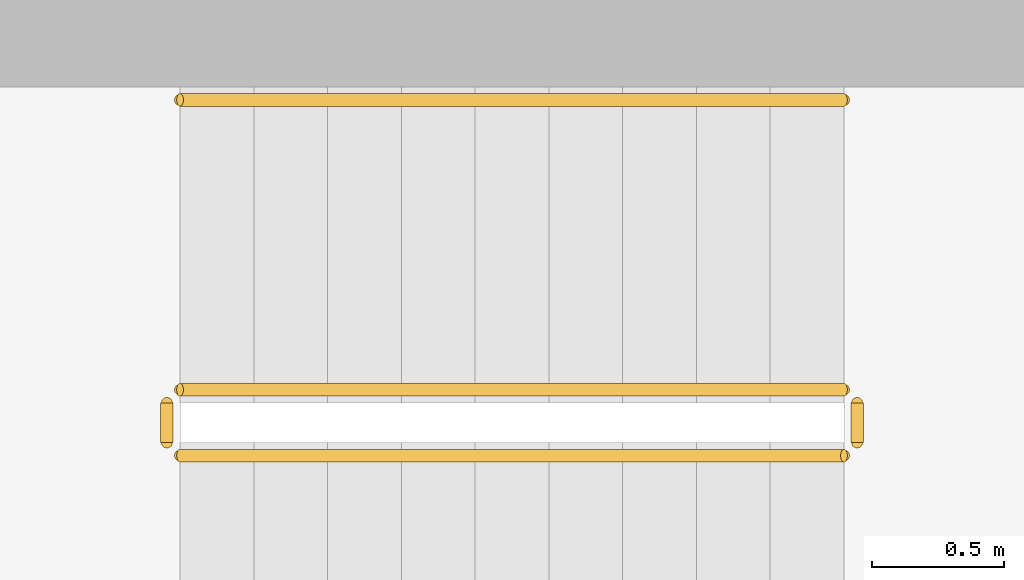
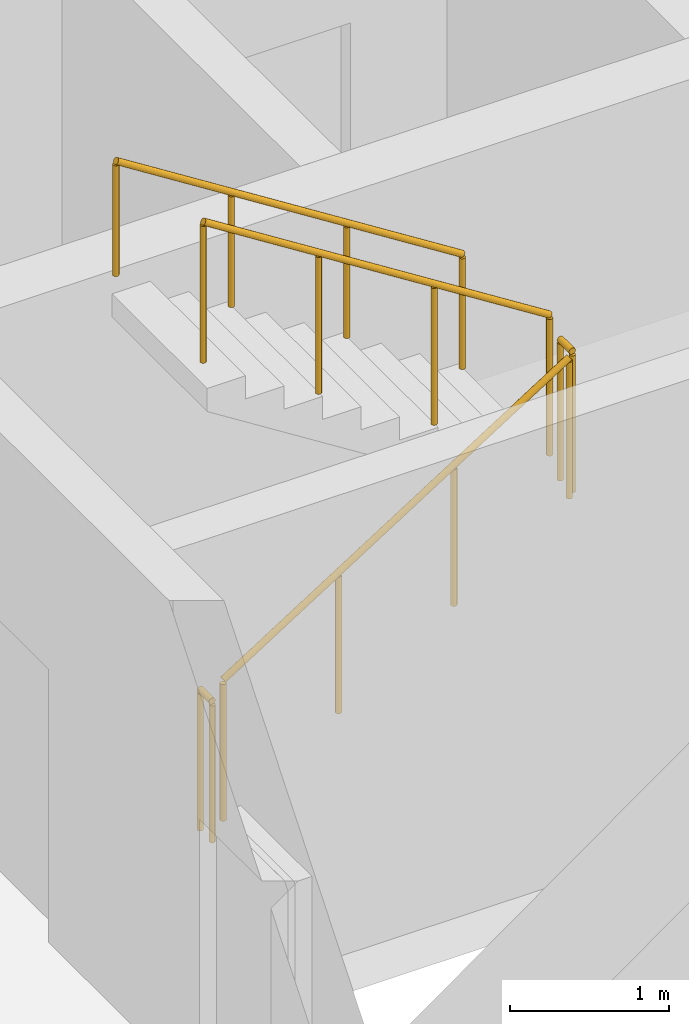
# One storey, part 12 of 14: 5 railings.
"""IFC4 building model written with IfcOpenShell, lengths in metres."""

from ifc_helpers import new_model, si_unit, direction, frame, origin, origin_2d, place, context, subcontext, project, spatial, circle, extrude, material, type_object, element, save


model = new_model("IFC4")

# Units and contexts
model_context = context("Model", 3, precision=1e-05, world=origin(), true_north=direction((0.0, 1.0)))
body_context = subcontext(model_context, "Body", "Model", "MODEL_VIEW")
ifc_project = project(units=[si_unit("LENGTHUNIT", "METRE"), si_unit("AREAUNIT", "SQUARE_METRE"), si_unit("VOLUMEUNIT", "CUBIC_METRE"), si_unit("PLANEANGLEUNIT", "RADIAN"), si_unit("MASSUNIT", "GRAM", prefix="KILO")], contexts=[model_context])

# Site, building, storey
site_placement = place(None, origin())
site = spatial("IfcSite", under=ifc_project, at=site_placement, CompositionType="ELEMENT")
building_placement = place(site_placement, origin())
building = spatial("IfcBuilding", under=site, at=building_placement, Name="Ostrand Prow Hotel Tower", CompositionType="ELEMENT")
storey_placement = place(building_placement, frame((0.0, 0.0, 271.449951171875)))
storey = spatial("IfcBuildingStorey", under=building, at=storey_placement, Name="L68", CompositionType="ELEMENT", Elevation=271.449951171875)

# Railings
ifc_material_1 = material(Name="Painted steel", Category="steel")
railing_type_1 = type_object("IfcRailingType", Name="Stair guard 1100", PredefinedType="GUARDRAIL", material=ifc_material_1)
railing_1_placement = place(storey_placement, frame((57.199951171875, -11.75, 0.177490234375)))
element("IfcRailing", 1, at=railing_1_placement, inside=storey, type_object=railing_type_1, Name="L68 ST2C stair guard 1", PredefinedType="GUARDRAIL", context=body_context, shape_type="SweptSolid", body=[
    extrude(circle(Radius=0.02392578125, at=origin_2d()), frame((0.0, 0.0, 1.076171875), z_axis=(0.84456994832, 0.0, 0.535445237532), x_axis=(0.0, 1.0, 0.0)), (0.0, 0.0, 1.0), 2.98388671875),
    extrude(circle(Radius=0.02099609375, at=origin_2d()), origin(), (0.0, 0.0, 1.0), 1.052001953125),
    extrude(circle(Radius=0.02099609375, at=origin_2d()), frame((0.840087890625, 0.0, 0.532470703125)), (0.0, 0.0, 1.0), 1.052001953125),
    extrude(circle(Radius=0.02099609375, at=origin_2d()), frame((1.679931640625, 0.0, 1.065185546875)), (0.0, 0.0, 1.0), 1.052001953125),
    extrude(circle(Radius=0.02099609375, at=origin_2d()), frame((2.52001953125, 0.0, 1.59765625)), (0.0, 0.0, 1.0), 1.052001953125),
])
railing_2_placement = place(storey_placement, frame((59.77001953125, -11.699951171875, 1.775146484375)))
element("IfcRailing", 2, at=railing_2_placement, inside=storey, type_object=railing_type_1, Name="L68 ST2C stair guard 2", PredefinedType="GUARDRAIL", context=body_context, shape_type="SweptSolid", body=[
    extrude(circle(Radius=0.02392578125, at=origin_2d()), frame((0.0, 0.0, 1.076171875), z_axis=(0.0, 1.0, 0.0), x_axis=(-1.0, 0.0, 0.0)), (0.0, 0.0, 1.0), 0.14990234375),
    extrude(circle(Radius=0.02099609375, at=origin_2d()), origin(), (0.0, 0.0, 1.0), 1.052001953125),
    extrude(circle(Radius=0.02099609375, at=origin_2d()), frame((0.0, 0.14990234375, 0.0)), (0.0, 0.0, 1.0), 1.052001953125),
])
railing_3_placement = place(storey_placement, frame((59.719970703125, -11.5, 1.95263671875)))
element("IfcRailing", 3, at=railing_3_placement, inside=storey, type_object=railing_type_1, Name="L68 ST2C stair guard 3", PredefinedType="GUARDRAIL", context=body_context, shape_type="SweptSolid", body=[
    extrude(circle(Radius=0.02392578125, at=origin_2d()), frame((0.0, 0.0, 1.076171875), z_axis=(-0.84460694969, 0.0, 0.535386869969), x_axis=(0.0, -1.0, 0.0)), (0.0, 0.0, 1.0), 2.983642578125),
    extrude(circle(Radius=0.02099609375, at=origin_2d()), origin(), (0.0, 0.0, 1.0), 1.052001953125),
    extrude(circle(Radius=0.02099609375, at=origin_2d()), frame((-0.840087890625, 0.0, 0.532470703125)), (0.0, 0.0, 1.0), 1.052001953125),
    extrude(circle(Radius=0.02099609375, at=origin_2d()), frame((-1.679931640625, 0.0, 1.06494140625)), (0.0, 0.0, 1.0), 1.052001953125),
    extrude(circle(Radius=0.02099609375, at=origin_2d()), frame((-2.52001953125, 0.0, 1.597412109375)), (0.0, 0.0, 1.0), 1.052001953125),
])
railing_4_placement = place(storey_placement, frame((57.14990234375, -11.699951171875, 0.0)))
element("IfcRailing", 4, at=railing_4_placement, inside=storey, type_object=railing_type_1, Name="L68 ST2C stair guard 4", PredefinedType="GUARDRAIL", context=body_context, shape_type="SweptSolid", body=[
    extrude(circle(Radius=0.02392578125, at=origin_2d()), frame((0.0, 0.0, 1.076171875), z_axis=(0.0, 1.0, 0.0), x_axis=(-1.0, 0.0, 0.0)), (0.0, 0.0, 1.0), 0.14990234375),
    extrude(circle(Radius=0.02099609375, at=origin_2d()), origin(), (0.0, 0.0, 1.0), 1.052001953125),
    extrude(circle(Radius=0.02099609375, at=origin_2d()), frame((0.0, 0.14990234375, 0.0)), (0.0, 0.0, 1.0), 1.052001953125),
])
ifc_material_2 = material(Name="Stainless steel", Category="steel")
railing_type_2 = type_object("IfcRailingType", Name="Stair handrail 900", PredefinedType="HANDRAIL", material=ifc_material_2)
railing_5_placement = place(storey_placement, frame((59.719970703125, -10.39990234375, 1.95263671875)))
element("IfcRailing", 5, at=railing_5_placement, inside=storey, type_object=railing_type_2, Name="L68 ST2C stair handrail 2", PredefinedType="HANDRAIL", context=body_context, shape_type="SweptSolid", body=[
    extrude(circle(Radius=0.02392578125, at=origin_2d()), frame((0.0, 0.0, 0.8759765625), z_axis=(-0.84460694969, 0.0, 0.535386869969), x_axis=(0.0, -1.0, 0.0)), (0.0, 0.0, 1.0), 2.983642578125),
    extrude(circle(Radius=0.02099609375, at=origin_2d()), origin(), (0.0, 0.0, 1.0), 0.851806640625),
    extrude(circle(Radius=0.02099609375, at=origin_2d()), frame((-0.840087890625, 0.0, 0.532470703125)), (0.0, 0.0, 1.0), 0.851806640625),
    extrude(circle(Radius=0.02099609375, at=origin_2d()), frame((-1.679931640625, 0.0, 1.06494140625)), (0.0, 0.0, 1.0), 0.851806640625),
    extrude(circle(Radius=0.02099609375, at=origin_2d()), frame((-2.52001953125, 0.0, 1.597412109375)), (0.0, 0.0, 1.0), 0.851806640625),
])

save(model, "model.ifc")
